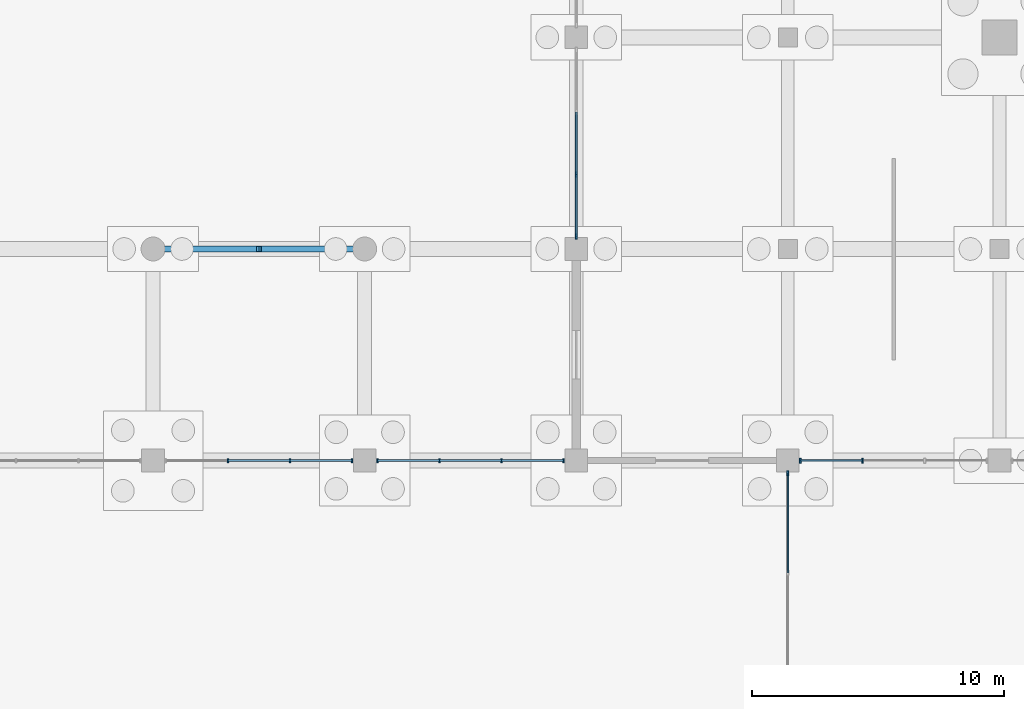
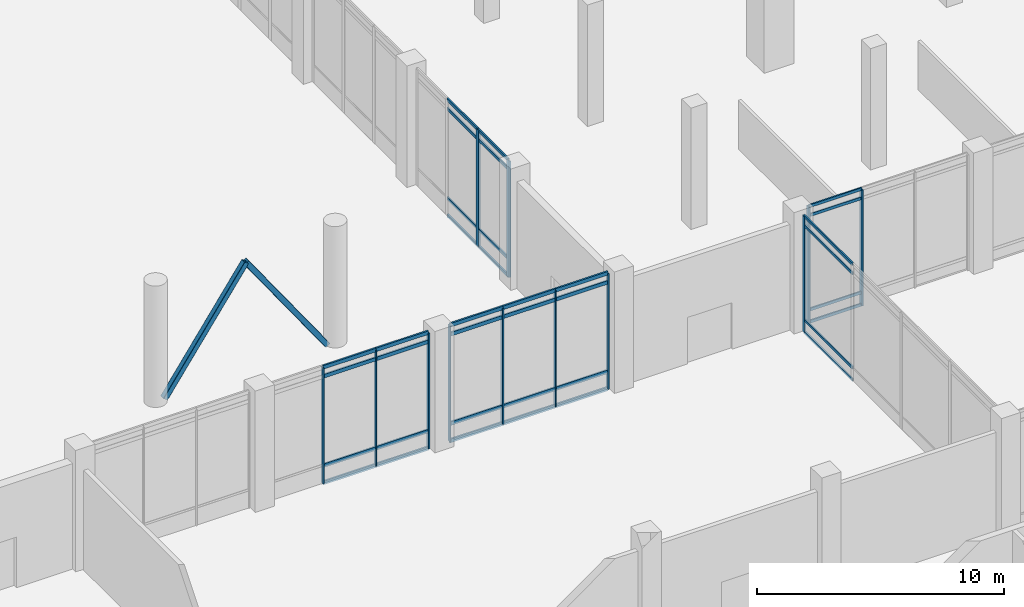
# One storey, part 31 of 72: 50 members, 5 elements without a shape of their own.
"""IFC4 building model written with IfcOpenShell, lengths in metres."""

from ifc_helpers import new_model, si_unit, direction, frame, origin, origin_2d, place, context, subcontext, project, spatial, rectangle, hollow_rectangle, extrude, material, layer, layer_set, material_profile, profile_set, type_object, element, aggregate, save


model = new_model("IFC4")

# Units and contexts
model_context = context("Model", 3, precision=1e-05, world=origin(), true_north=direction((0.0, 1.0)))
body_context = subcontext(model_context, "Body", "Model", "MODEL_VIEW")
ifc_project = project(units=[si_unit("LENGTHUNIT", "METRE"), si_unit("AREAUNIT", "SQUARE_METRE"), si_unit("VOLUMEUNIT", "CUBIC_METRE"), si_unit("PLANEANGLEUNIT", "RADIAN"), si_unit("MASSUNIT", "GRAM", prefix="KILO")], contexts=[model_context])

# Site, building, storey
site_placement = place(None, origin())
site = spatial("IfcSite", under=ifc_project, at=site_placement, CompositionType="ELEMENT")
building_placement = place(site_placement, origin())
building = spatial("IfcBuilding", under=site, at=building_placement, Name="Qawsi Khor Wholesale Market", CompositionType="ELEMENT")
storey_placement = place(building_placement, origin())
storey = spatial("IfcBuildingStorey", under=building, at=storey_placement, Name="L00", CompositionType="ELEMENT", Elevation=0.0)

# Curtain wall, members
ifc_material_1 = material(Name="Aluminium Anodised Bronze", Category="aluminium")
ifc_layer_1 = layer(ifc_material_1, 0.179931640625, Name="Aluminium Anodised Bronze")
ifc_layer_set_1 = layer_set([ifc_layer_1], Name="Aluminium Anodised Bronze")
curtain_wall_type_1 = type_object("IfcCurtainWallType", Name="Atrium Full-Height Curtain Wall CW-02", PredefinedType="NOTDEFINED", material=ifc_layer_set_1)
curtain_wall_1_placement = place(storey_placement, origin())
curtain_wall_1 = element("IfcCurtainWall", 1, at=curtain_wall_1_placement, inside=storey, type_object=curtain_wall_type_1, Name="Curtain wall CW-CW-02-L00-032", PredefinedType="NOTDEFINED")
ifc_material_profile_1 = material_profile(ifc_material_1, rectangle(XDim=0.070068359375, YDim=0.199951171875, at=origin_2d()), Name="ALU MULLION 70x200")
ifc_profile_set_1 = profile_set([ifc_material_profile_1], Name="Aluminium Anodised Bronze")
member_type_1 = type_object("IfcMemberType", Name="Curtain Wall Mullion CW-02 ALU MULLION 70x200", PredefinedType="MULLION", material=ifc_profile_set_1)
member_1_placement = place(storey_placement, frame((151.695068359375, 42.0, -0.02001953125), z_axis=(0.0, 0.0, 1.0), x_axis=(1.0, 0.0, 0.0)))
member_1 = element("IfcMember", 2, at=member_1_placement, type_object=member_type_1, Name="Mullion CW-CW-02-L00-032-M00", PredefinedType="MULLION", context=body_context, shape_type="SweptSolid", body=[
    extrude(rectangle(XDim=0.070068359375, YDim=0.199951171875, at=origin_2d()), origin(), (0.0, 0.0, 1.0), 5.739990234375),
])
member_2_placement = place(storey_placement, frame((154.1650390625, 42.0, -0.02001953125), z_axis=(0.0, 0.0, 1.0), x_axis=(1.0, 0.0, 0.0)))
member_2 = element("IfcMember", 3, at=member_2_placement, type_object=member_type_1, Name="Mullion CW-CW-02-L00-032-M01", PredefinedType="MULLION", context=body_context, shape_type="SweptSolid", body=[
    extrude(rectangle(XDim=0.070068359375, YDim=0.199951171875, at=origin_2d()), origin(), (0.0, 0.0, 1.0), 5.739990234375),
])

# Curtain wall, member
curtain_wall_2_placement = place(storey_placement, origin())
curtain_wall_2 = element("IfcCurtainWall", 4, at=curtain_wall_2_placement, inside=storey, type_object=curtain_wall_type_1, Name="Curtain wall CW-CW-02-L00-034", PredefinedType="NOTDEFINED")
member_3_placement = place(storey_placement, frame((151.199951171875, 41.5048828125, -0.02001953125), z_axis=(0.0, 0.0, 1.0), x_axis=(1.0, 0.0, 0.0)))
member_3 = element("IfcMember", 5, at=member_3_placement, type_object=member_type_1, Name="Mullion CW-CW-02-L00-034-M04", PredefinedType="MULLION", context=body_context, shape_type="SweptSolid", body=[
    extrude(rectangle(XDim=0.070068359375, YDim=0.199951171875, at=origin_2d()), origin(), (0.0, 0.0, 1.0), 5.739990234375),
])

# Curtain wall, members
ifc_layer_2 = layer(ifc_material_1, 0.199951171875, Name="Aluminium Anodised Bronze")
ifc_layer_set_2 = layer_set([ifc_layer_2], Name="Aluminium Anodised Bronze")
curtain_wall_type_2 = type_object("IfcCurtainWallType", Name="Trading Hall North-Light Curtain Wall CW-03", PredefinedType="NOTDEFINED", material=ifc_layer_set_2)
curtain_wall_3_placement = place(storey_placement, origin())
curtain_wall_3 = element("IfcCurtainWall", 6, at=curtain_wall_3_placement, inside=storey, type_object=curtain_wall_type_2, Name="Curtain wall CW-CW-03-L00-075", PredefinedType="NOTDEFINED")
ifc_material_profile_2 = material_profile(ifc_material_1, rectangle(XDim=0.074951171875, YDim=0.219970703125, at=origin_2d()), Name="ALU MULLION 75x220")
ifc_profile_set_2 = profile_set([ifc_material_profile_2], Name="Aluminium Anodised Bronze")
member_type_2 = type_object("IfcMemberType", Name="Curtain Wall Mullion CW-03 ALU MULLION 75x220", PredefinedType="MULLION", material=ifc_profile_set_2)
member_4_placement = place(storey_placement, frame((142.800048828125, 50.8974609375, -0.02001953125), z_axis=(0.0, 0.0, 1.0), x_axis=(1.0, 0.0, 0.0)))
member_4 = element("IfcMember", 7, at=member_4_placement, type_object=member_type_2, Name="Mullion CW-CW-03-L00-075-M00", PredefinedType="MULLION", context=body_context, shape_type="SweptSolid", body=[
    extrude(rectangle(XDim=0.074951171875, YDim=0.219970703125, at=origin_2d()), origin(), (0.0, 0.0, 1.0), 5.75),
])
member_5_placement = place(storey_placement, frame((142.800048828125, 53.36572265625, -0.02001953125), z_axis=(0.0, 0.0, 1.0), x_axis=(1.0, 0.0, 0.0)))
member_5 = element("IfcMember", 8, at=member_5_placement, type_object=member_type_2, Name="Mullion CW-CW-03-L00-075-M01", PredefinedType="MULLION", context=body_context, shape_type="SweptSolid", body=[
    extrude(rectangle(XDim=0.074951171875, YDim=0.219970703125, at=origin_2d()), origin(), (0.0, 0.0, 1.0), 5.75),
])

ifc_layer_3 = layer(ifc_material_1, 0.169921875, Name="Aluminium Anodised Bronze")
ifc_layer_set_3 = layer_set([ifc_layer_3], Name="Aluminium Anodised Bronze")
curtain_wall_type_3 = type_object("IfcCurtainWallType", Name="Central Court Gallery Curtain Wall CW-05", PredefinedType="NOTDEFINED", material=ifc_layer_set_3)
curtain_wall_4_placement = place(storey_placement, origin())
curtain_wall_4 = element("IfcCurtainWall", 9, at=curtain_wall_4_placement, inside=storey, type_object=curtain_wall_type_3, Name="Curtain wall CW-CW-05-L00-058", PredefinedType="NOTDEFINED")
ifc_material_profile_3 = material_profile(ifc_material_1, rectangle(XDim=0.06005859375, YDim=0.159912109375, at=origin_2d()), Name="ALU MULLION 60x160")
ifc_profile_set_3 = profile_set([ifc_material_profile_3], Name="Aluminium Anodised Bronze")
member_type_3 = type_object("IfcMemberType", Name="Curtain Wall Mullion CW-05 ALU MULLION 60x160", PredefinedType="MULLION", material=ifc_profile_set_3)
member_6_placement = place(storey_placement, frame((128.966796875, 42.0, -0.02001953125), z_axis=(0.0, 0.0, 1.0), x_axis=(1.0, 0.0, 0.0)))
member_6 = element("IfcMember", 10, at=member_6_placement, type_object=member_type_3, Name="Mullion CW-CW-05-L00-058-M01", PredefinedType="MULLION", context=body_context, shape_type="SweptSolid", body=[
    extrude(rectangle(XDim=0.06005859375, YDim=0.159912109375, at=origin_2d()), origin(), (0.0, 0.0, 1.0), 5.739990234375),
])
member_7_placement = place(storey_placement, frame((131.433349609375, 42.0, -0.02001953125), z_axis=(0.0, 0.0, 1.0), x_axis=(1.0, 0.0, 0.0)))
member_7 = element("IfcMember", 11, at=member_7_placement, type_object=member_type_3, Name="Mullion CW-CW-05-L00-058-M02", PredefinedType="MULLION", context=body_context, shape_type="SweptSolid", body=[
    extrude(rectangle(XDim=0.06005859375, YDim=0.159912109375, at=origin_2d()), origin(), (0.0, 0.0, 1.0), 5.739990234375),
])
member_8_placement = place(storey_placement, frame((133.89990234375, 42.0, -0.02001953125), z_axis=(0.0, 0.0, 1.0), x_axis=(1.0, 0.0, 0.0)))
member_8 = element("IfcMember", 12, at=member_8_placement, type_object=member_type_3, Name="Mullion CW-CW-05-L00-058-M03", PredefinedType="MULLION", context=body_context, shape_type="SweptSolid", body=[
    extrude(rectangle(XDim=0.06005859375, YDim=0.159912109375, at=origin_2d()), origin(), (0.0, 0.0, 1.0), 5.739990234375),
])

curtain_wall_5_placement = place(storey_placement, origin())
curtain_wall_5 = element("IfcCurtainWall", 13, at=curtain_wall_5_placement, inside=storey, type_object=curtain_wall_type_3, Name="Curtain wall CW-CW-05-L00-059", PredefinedType="NOTDEFINED")
member_9_placement = place(storey_placement, frame((134.89990234375, 42.0, -0.02001953125), z_axis=(0.0, 0.0, 1.0), x_axis=(1.0, 0.0, 0.0)))
member_9 = element("IfcMember", 14, at=member_9_placement, type_object=member_type_3, Name="Mullion CW-CW-05-L00-059-M00", PredefinedType="MULLION", context=body_context, shape_type="SweptSolid", body=[
    extrude(rectangle(XDim=0.06005859375, YDim=0.159912109375, at=origin_2d()), origin(), (0.0, 0.0, 1.0), 5.739990234375),
])
member_10_placement = place(storey_placement, frame((137.36669921875, 42.0, -0.02001953125), z_axis=(0.0, 0.0, 1.0), x_axis=(1.0, 0.0, 0.0)))
member_10 = element("IfcMember", 15, at=member_10_placement, type_object=member_type_3, Name="Mullion CW-CW-05-L00-059-M01", PredefinedType="MULLION", context=body_context, shape_type="SweptSolid", body=[
    extrude(rectangle(XDim=0.06005859375, YDim=0.159912109375, at=origin_2d()), origin(), (0.0, 0.0, 1.0), 5.739990234375),
])
member_11_placement = place(storey_placement, frame((139.833251953125, 42.0, -0.02001953125), z_axis=(0.0, 0.0, 1.0), x_axis=(1.0, 0.0, 0.0)))
member_11 = element("IfcMember", 16, at=member_11_placement, type_object=member_type_3, Name="Mullion CW-CW-05-L00-059-M02", PredefinedType="MULLION", context=body_context, shape_type="SweptSolid", body=[
    extrude(rectangle(XDim=0.06005859375, YDim=0.159912109375, at=origin_2d()), origin(), (0.0, 0.0, 1.0), 5.739990234375),
])
member_12_placement = place(storey_placement, frame((142.300048828125, 42.0, -0.02001953125), z_axis=(0.0, 0.0, 1.0), x_axis=(1.0, 0.0, 0.0)))
member_12 = element("IfcMember", 17, at=member_12_placement, type_object=member_type_3, Name="Mullion CW-CW-05-L00-059-M03", PredefinedType="MULLION", context=body_context, shape_type="SweptSolid", body=[
    extrude(rectangle(XDim=0.06005859375, YDim=0.159912109375, at=origin_2d()), origin(), (0.0, 0.0, 1.0), 5.739990234375),
])

# Member
ifc_material_profile_4 = material_profile(ifc_material_1, rectangle(XDim=0.06494140625, YDim=0.139892578125, at=origin_2d()), Name="ALU TRANSOM 65x140")
ifc_profile_set_4 = profile_set([ifc_material_profile_4], Name="Aluminium Anodised Bronze")
member_type_4 = type_object("IfcMemberType", Name="Curtain Wall Transom CW-02 ALU TRANSOM 65x140", PredefinedType="USERDEFINED", material=ifc_profile_set_4)
member_13_placement = place(storey_placement, frame((151.695068359375, 42.0, 0.0), z_axis=(1.0, 0.0, 0.0), x_axis=(0.0, 1.0, 0.0)))
member_13 = element("IfcMember", 18, at=member_13_placement, type_object=member_type_4, Name="Transom CW-CW-02-L00-032-T0_00", ObjectType="TRANSOM", PredefinedType="USERDEFINED", context=body_context, shape_type="SweptSolid", body=[
    extrude(rectangle(XDim=0.06494140625, YDim=0.139892578125, at=origin_2d()), origin(), (0.0, 0.0, 1.0), 2.469970703125),
])

member_14_placement = place(storey_placement, frame((151.695068359375, 42.0, 0.60009765625), z_axis=(1.0, 0.0, 0.0), x_axis=(0.0, 1.0, 0.0)))
member_14 = element("IfcMember", 19, at=member_14_placement, type_object=member_type_4, Name="Transom CW-CW-02-L00-032-T1_00", ObjectType="TRANSOM", PredefinedType="USERDEFINED", context=body_context, shape_type="SweptSolid", body=[
    extrude(rectangle(XDim=0.06494140625, YDim=0.139892578125, at=origin_2d()), origin(), (0.0, 0.0, 1.0), 2.469970703125),
])

member_15_placement = place(storey_placement, frame((151.695068359375, 42.0, 5.27001953125), z_axis=(1.0, 0.0, 0.0), x_axis=(0.0, 1.0, 0.0)))
member_15 = element("IfcMember", 20, at=member_15_placement, type_object=member_type_4, Name="Transom CW-CW-02-L00-032-T2_00", ObjectType="TRANSOM", PredefinedType="USERDEFINED", context=body_context, shape_type="SweptSolid", body=[
    extrude(rectangle(XDim=0.06494140625, YDim=0.139892578125, at=origin_2d()), origin(), (0.0, 0.0, 1.0), 2.469970703125),
])

member_16_placement = place(storey_placement, frame((151.695068359375, 42.0, 5.719970703125), z_axis=(1.0, 0.0, 0.0), x_axis=(0.0, 1.0, 0.0)))
member_16 = element("IfcMember", 21, at=member_16_placement, type_object=member_type_4, Name="Transom CW-CW-02-L00-032-T3_00", ObjectType="TRANSOM", PredefinedType="USERDEFINED", context=body_context, shape_type="SweptSolid", body=[
    extrude(rectangle(XDim=0.06494140625, YDim=0.139892578125, at=origin_2d()), origin(), (0.0, 0.0, 1.0), 2.469970703125),
])

aggregate(curtain_wall_1, [member_1, member_2, member_13, member_14, member_15, member_16])

member_17_placement = place(storey_placement, frame((151.199951171875, 37.552490234375, 0.0), z_axis=(0.0, 1.0, 0.0), x_axis=(-1.0, 0.0, 0.0)))
member_17 = element("IfcMember", 22, at=member_17_placement, type_object=member_type_4, Name="Transom CW-CW-02-L00-034-T0_03", ObjectType="TRANSOM", PredefinedType="USERDEFINED", context=body_context, shape_type="SweptSolid", body=[
    extrude(rectangle(XDim=0.06494140625, YDim=0.139892578125, at=origin_2d()), origin(), (0.0, 0.0, 1.0), 3.952392578125),
])

member_18_placement = place(storey_placement, frame((151.199951171875, 37.552490234375, 0.60009765625), z_axis=(0.0, 1.0, 0.0), x_axis=(-1.0, 0.0, 0.0)))
member_18 = element("IfcMember", 23, at=member_18_placement, type_object=member_type_4, Name="Transom CW-CW-02-L00-034-T1_03", ObjectType="TRANSOM", PredefinedType="USERDEFINED", context=body_context, shape_type="SweptSolid", body=[
    extrude(rectangle(XDim=0.06494140625, YDim=0.139892578125, at=origin_2d()), origin(), (0.0, 0.0, 1.0), 3.952392578125),
])

member_19_placement = place(storey_placement, frame((151.199951171875, 37.552490234375, 5.27001953125), z_axis=(0.0, 1.0, 0.0), x_axis=(-1.0, 0.0, 0.0)))
member_19 = element("IfcMember", 24, at=member_19_placement, type_object=member_type_4, Name="Transom CW-CW-02-L00-034-T2_03", ObjectType="TRANSOM", PredefinedType="USERDEFINED", context=body_context, shape_type="SweptSolid", body=[
    extrude(rectangle(XDim=0.06494140625, YDim=0.139892578125, at=origin_2d()), origin(), (0.0, 0.0, 1.0), 3.952392578125),
])

member_20_placement = place(storey_placement, frame((151.199951171875, 37.552490234375, 5.719970703125), z_axis=(0.0, 1.0, 0.0), x_axis=(-1.0, 0.0, 0.0)))
member_20 = element("IfcMember", 25, at=member_20_placement, type_object=member_type_4, Name="Transom CW-CW-02-L00-034-T3_03", ObjectType="TRANSOM", PredefinedType="USERDEFINED", context=body_context, shape_type="SweptSolid", body=[
    extrude(rectangle(XDim=0.06494140625, YDim=0.139892578125, at=origin_2d()), origin(), (0.0, 0.0, 1.0), 3.952392578125),
])

aggregate(curtain_wall_2, [member_3, member_17, member_18, member_19, member_20])

ifc_material_profile_5 = material_profile(ifc_material_1, rectangle(XDim=0.070068359375, YDim=0.14990234375, at=origin_2d()), Name="ALU TRANSOM 70x150")
ifc_profile_set_5 = profile_set([ifc_material_profile_5], Name="Aluminium Anodised Bronze")
member_type_5 = type_object("IfcMemberType", Name="Curtain Wall Transom CW-03 ALU TRANSOM 70x150", PredefinedType="USERDEFINED", material=ifc_profile_set_5)
member_21_placement = place(storey_placement, frame((142.800048828125, 50.8974609375, 0.0), z_axis=(0.0, 1.0, 0.0), x_axis=(-1.0, 0.0, 0.0)))
member_21 = element("IfcMember", 26, at=member_21_placement, type_object=member_type_5, Name="Transom CW-CW-03-L00-075-T0_00", ObjectType="TRANSOM", PredefinedType="USERDEFINED", context=body_context, shape_type="SweptSolid", body=[
    extrude(rectangle(XDim=0.070068359375, YDim=0.14990234375, at=origin_2d()), origin(), (0.0, 0.0, 1.0), 2.46826171875),
])

member_22_placement = place(storey_placement, frame((142.800048828125, 53.36572265625, 0.0), z_axis=(0.0, 1.0, 0.0), x_axis=(-1.0, 0.0, 0.0)))
member_22 = element("IfcMember", 27, at=member_22_placement, type_object=member_type_5, Name="Transom CW-CW-03-L00-075-T0_01", ObjectType="TRANSOM", PredefinedType="USERDEFINED", context=body_context, shape_type="SweptSolid", body=[
    extrude(rectangle(XDim=0.070068359375, YDim=0.14990234375, at=origin_2d()), origin(), (0.0, 0.0, 1.0), 2.468505859375),
])

member_23_placement = place(storey_placement, frame((142.800048828125, 50.8974609375, 0.85009765625), z_axis=(0.0, 1.0, 0.0), x_axis=(-1.0, 0.0, 0.0)))
member_23 = element("IfcMember", 28, at=member_23_placement, type_object=member_type_5, Name="Transom CW-CW-03-L00-075-T1_00", ObjectType="TRANSOM", PredefinedType="USERDEFINED", context=body_context, shape_type="SweptSolid", body=[
    extrude(rectangle(XDim=0.070068359375, YDim=0.14990234375, at=origin_2d()), origin(), (0.0, 0.0, 1.0), 2.46826171875),
])

member_24_placement = place(storey_placement, frame((142.800048828125, 53.36572265625, 0.85009765625), z_axis=(0.0, 1.0, 0.0), x_axis=(-1.0, 0.0, 0.0)))
member_24 = element("IfcMember", 29, at=member_24_placement, type_object=member_type_5, Name="Transom CW-CW-03-L00-075-T1_01", ObjectType="TRANSOM", PredefinedType="USERDEFINED", context=body_context, shape_type="SweptSolid", body=[
    extrude(rectangle(XDim=0.070068359375, YDim=0.14990234375, at=origin_2d()), origin(), (0.0, 0.0, 1.0), 2.468505859375),
])

member_25_placement = place(storey_placement, frame((142.800048828125, 50.8974609375, 5.280029296875), z_axis=(0.0, 1.0, 0.0), x_axis=(-1.0, 0.0, 0.0)))
member_25 = element("IfcMember", 30, at=member_25_placement, type_object=member_type_5, Name="Transom CW-CW-03-L00-075-T2_00", ObjectType="TRANSOM", PredefinedType="USERDEFINED", context=body_context, shape_type="SweptSolid", body=[
    extrude(rectangle(XDim=0.070068359375, YDim=0.14990234375, at=origin_2d()), origin(), (0.0, 0.0, 1.0), 2.46826171875),
])

member_26_placement = place(storey_placement, frame((142.800048828125, 53.36572265625, 5.280029296875), z_axis=(0.0, 1.0, 0.0), x_axis=(-1.0, 0.0, 0.0)))
member_26 = element("IfcMember", 31, at=member_26_placement, type_object=member_type_5, Name="Transom CW-CW-03-L00-075-T2_01", ObjectType="TRANSOM", PredefinedType="USERDEFINED", context=body_context, shape_type="SweptSolid", body=[
    extrude(rectangle(XDim=0.070068359375, YDim=0.14990234375, at=origin_2d()), origin(), (0.0, 0.0, 1.0), 2.468505859375),
])

member_27_placement = place(storey_placement, frame((142.800048828125, 50.8974609375, 5.72998046875), z_axis=(0.0, 1.0, 0.0), x_axis=(-1.0, 0.0, 0.0)))
member_27 = element("IfcMember", 32, at=member_27_placement, type_object=member_type_5, Name="Transom CW-CW-03-L00-075-T3_00", ObjectType="TRANSOM", PredefinedType="USERDEFINED", context=body_context, shape_type="SweptSolid", body=[
    extrude(rectangle(XDim=0.070068359375, YDim=0.14990234375, at=origin_2d()), origin(), (0.0, 0.0, 1.0), 2.46826171875),
])

member_28_placement = place(storey_placement, frame((142.800048828125, 53.36572265625, 5.72998046875), z_axis=(0.0, 1.0, 0.0), x_axis=(-1.0, 0.0, 0.0)))
member_28 = element("IfcMember", 33, at=member_28_placement, type_object=member_type_5, Name="Transom CW-CW-03-L00-075-T3_01", ObjectType="TRANSOM", PredefinedType="USERDEFINED", context=body_context, shape_type="SweptSolid", body=[
    extrude(rectangle(XDim=0.070068359375, YDim=0.14990234375, at=origin_2d()), origin(), (0.0, 0.0, 1.0), 2.468505859375),
])

aggregate(curtain_wall_3, [member_4, member_5, member_21, member_22, member_23, member_24, member_25, member_26, member_27, member_28])

ifc_material_profile_6 = material_profile(ifc_material_1, rectangle(XDim=0.080078125, YDim=0.179931640625, at=origin_2d()), Name="ALU TRANSOM 80x180")
ifc_profile_set_6 = profile_set([ifc_material_profile_6], Name="Aluminium Anodised Bronze")
member_type_6 = type_object("IfcMemberType", Name="Curtain Wall Transom CW-05 ALU TRANSOM 80x180", PredefinedType="USERDEFINED", material=ifc_profile_set_6)
member_29_placement = place(storey_placement, frame((128.966796875, 42.0, 0.0), z_axis=(1.0, 0.0, 0.0), x_axis=(0.0, 1.0, 0.0)))
member_29 = element("IfcMember", 34, at=member_29_placement, type_object=member_type_6, Name="Transom CW-CW-05-L00-058-T0_01", ObjectType="TRANSOM", PredefinedType="USERDEFINED", context=body_context, shape_type="SweptSolid", body=[
    extrude(rectangle(XDim=0.080078125, YDim=0.179931640625, at=origin_2d()), origin(), (0.0, 0.0, 1.0), 2.466552734375),
])

member_30_placement = place(storey_placement, frame((131.433349609375, 42.0, 0.0), z_axis=(1.0, 0.0, 0.0), x_axis=(0.0, 1.0, 0.0)))
member_30 = element("IfcMember", 35, at=member_30_placement, type_object=member_type_6, Name="Transom CW-CW-05-L00-058-T0_02", ObjectType="TRANSOM", PredefinedType="USERDEFINED", context=body_context, shape_type="SweptSolid", body=[
    extrude(rectangle(XDim=0.080078125, YDim=0.179931640625, at=origin_2d()), origin(), (0.0, 0.0, 1.0), 2.466552734375),
])

member_31_placement = place(storey_placement, frame((128.966796875, 42.0, 0.85009765625), z_axis=(1.0, 0.0, 0.0), x_axis=(0.0, 1.0, 0.0)))
member_31 = element("IfcMember", 36, at=member_31_placement, type_object=member_type_6, Name="Transom CW-CW-05-L00-058-T1_01", ObjectType="TRANSOM", PredefinedType="USERDEFINED", context=body_context, shape_type="SweptSolid", body=[
    extrude(rectangle(XDim=0.080078125, YDim=0.179931640625, at=origin_2d()), origin(), (0.0, 0.0, 1.0), 2.466552734375),
])

member_32_placement = place(storey_placement, frame((131.433349609375, 42.0, 0.85009765625), z_axis=(1.0, 0.0, 0.0), x_axis=(0.0, 1.0, 0.0)))
member_32 = element("IfcMember", 37, at=member_32_placement, type_object=member_type_6, Name="Transom CW-CW-05-L00-058-T1_02", ObjectType="TRANSOM", PredefinedType="USERDEFINED", context=body_context, shape_type="SweptSolid", body=[
    extrude(rectangle(XDim=0.080078125, YDim=0.179931640625, at=origin_2d()), origin(), (0.0, 0.0, 1.0), 2.466552734375),
])

member_33_placement = place(storey_placement, frame((128.966796875, 42.0, 5.27001953125), z_axis=(1.0, 0.0, 0.0), x_axis=(0.0, 1.0, 0.0)))
member_33 = element("IfcMember", 38, at=member_33_placement, type_object=member_type_6, Name="Transom CW-CW-05-L00-058-T2_01", ObjectType="TRANSOM", PredefinedType="USERDEFINED", context=body_context, shape_type="SweptSolid", body=[
    extrude(rectangle(XDim=0.080078125, YDim=0.179931640625, at=origin_2d()), origin(), (0.0, 0.0, 1.0), 2.466552734375),
])

member_34_placement = place(storey_placement, frame((131.433349609375, 42.0, 5.27001953125), z_axis=(1.0, 0.0, 0.0), x_axis=(0.0, 1.0, 0.0)))
member_34 = element("IfcMember", 39, at=member_34_placement, type_object=member_type_6, Name="Transom CW-CW-05-L00-058-T2_02", ObjectType="TRANSOM", PredefinedType="USERDEFINED", context=body_context, shape_type="SweptSolid", body=[
    extrude(rectangle(XDim=0.080078125, YDim=0.179931640625, at=origin_2d()), origin(), (0.0, 0.0, 1.0), 2.466552734375),
])

member_35_placement = place(storey_placement, frame((128.966796875, 42.0, 5.719970703125), z_axis=(1.0, 0.0, 0.0), x_axis=(0.0, 1.0, 0.0)))
member_35 = element("IfcMember", 40, at=member_35_placement, type_object=member_type_6, Name="Transom CW-CW-05-L00-058-T3_01", ObjectType="TRANSOM", PredefinedType="USERDEFINED", context=body_context, shape_type="SweptSolid", body=[
    extrude(rectangle(XDim=0.080078125, YDim=0.179931640625, at=origin_2d()), origin(), (0.0, 0.0, 1.0), 2.466552734375),
])

member_36_placement = place(storey_placement, frame((131.433349609375, 42.0, 5.719970703125), z_axis=(1.0, 0.0, 0.0), x_axis=(0.0, 1.0, 0.0)))
member_36 = element("IfcMember", 41, at=member_36_placement, type_object=member_type_6, Name="Transom CW-CW-05-L00-058-T3_02", ObjectType="TRANSOM", PredefinedType="USERDEFINED", context=body_context, shape_type="SweptSolid", body=[
    extrude(rectangle(XDim=0.080078125, YDim=0.179931640625, at=origin_2d()), origin(), (0.0, 0.0, 1.0), 2.466552734375),
])

aggregate(curtain_wall_4, [member_6, member_7, member_8, member_29, member_30, member_31, member_32, member_33, member_34, member_35, member_36])

member_37_placement = place(storey_placement, frame((134.89990234375, 42.0, 0.0), z_axis=(1.0, 0.0, 0.0), x_axis=(0.0, 1.0, 0.0)))
member_37 = element("IfcMember", 42, at=member_37_placement, type_object=member_type_6, Name="Transom CW-CW-05-L00-059-T0_00", ObjectType="TRANSOM", PredefinedType="USERDEFINED", context=body_context, shape_type="SweptSolid", body=[
    extrude(rectangle(XDim=0.080078125, YDim=0.179931640625, at=origin_2d()), origin(), (0.0, 0.0, 1.0), 2.466796875),
])

member_38_placement = place(storey_placement, frame((137.36669921875, 42.0, 0.0), z_axis=(1.0, 0.0, 0.0), x_axis=(0.0, 1.0, 0.0)))
member_38 = element("IfcMember", 43, at=member_38_placement, type_object=member_type_6, Name="Transom CW-CW-05-L00-059-T0_01", ObjectType="TRANSOM", PredefinedType="USERDEFINED", context=body_context, shape_type="SweptSolid", body=[
    extrude(rectangle(XDim=0.080078125, YDim=0.179931640625, at=origin_2d()), origin(), (0.0, 0.0, 1.0), 2.466552734375),
])

member_39_placement = place(storey_placement, frame((139.833251953125, 42.0, 0.0), z_axis=(1.0, 0.0, 0.0), x_axis=(0.0, 1.0, 0.0)))
member_39 = element("IfcMember", 44, at=member_39_placement, type_object=member_type_6, Name="Transom CW-CW-05-L00-059-T0_02", ObjectType="TRANSOM", PredefinedType="USERDEFINED", context=body_context, shape_type="SweptSolid", body=[
    extrude(rectangle(XDim=0.080078125, YDim=0.179931640625, at=origin_2d()), origin(), (0.0, 0.0, 1.0), 2.466796875),
])

member_40_placement = place(storey_placement, frame((134.89990234375, 42.0, 0.85009765625), z_axis=(1.0, 0.0, 0.0), x_axis=(0.0, 1.0, 0.0)))
member_40 = element("IfcMember", 45, at=member_40_placement, type_object=member_type_6, Name="Transom CW-CW-05-L00-059-T1_00", ObjectType="TRANSOM", PredefinedType="USERDEFINED", context=body_context, shape_type="SweptSolid", body=[
    extrude(rectangle(XDim=0.080078125, YDim=0.179931640625, at=origin_2d()), origin(), (0.0, 0.0, 1.0), 2.466796875),
])

member_41_placement = place(storey_placement, frame((137.36669921875, 42.0, 0.85009765625), z_axis=(1.0, 0.0, 0.0), x_axis=(0.0, 1.0, 0.0)))
member_41 = element("IfcMember", 46, at=member_41_placement, type_object=member_type_6, Name="Transom CW-CW-05-L00-059-T1_01", ObjectType="TRANSOM", PredefinedType="USERDEFINED", context=body_context, shape_type="SweptSolid", body=[
    extrude(rectangle(XDim=0.080078125, YDim=0.179931640625, at=origin_2d()), origin(), (0.0, 0.0, 1.0), 2.466552734375),
])

member_42_placement = place(storey_placement, frame((139.833251953125, 42.0, 0.85009765625), z_axis=(1.0, 0.0, 0.0), x_axis=(0.0, 1.0, 0.0)))
member_42 = element("IfcMember", 47, at=member_42_placement, type_object=member_type_6, Name="Transom CW-CW-05-L00-059-T1_02", ObjectType="TRANSOM", PredefinedType="USERDEFINED", context=body_context, shape_type="SweptSolid", body=[
    extrude(rectangle(XDim=0.080078125, YDim=0.179931640625, at=origin_2d()), origin(), (0.0, 0.0, 1.0), 2.466796875),
])

member_43_placement = place(storey_placement, frame((134.89990234375, 42.0, 5.27001953125), z_axis=(1.0, 0.0, 0.0), x_axis=(0.0, 1.0, 0.0)))
member_43 = element("IfcMember", 48, at=member_43_placement, type_object=member_type_6, Name="Transom CW-CW-05-L00-059-T2_00", ObjectType="TRANSOM", PredefinedType="USERDEFINED", context=body_context, shape_type="SweptSolid", body=[
    extrude(rectangle(XDim=0.080078125, YDim=0.179931640625, at=origin_2d()), origin(), (0.0, 0.0, 1.0), 2.466796875),
])

member_44_placement = place(storey_placement, frame((137.36669921875, 42.0, 5.27001953125), z_axis=(1.0, 0.0, 0.0), x_axis=(0.0, 1.0, 0.0)))
member_44 = element("IfcMember", 49, at=member_44_placement, type_object=member_type_6, Name="Transom CW-CW-05-L00-059-T2_01", ObjectType="TRANSOM", PredefinedType="USERDEFINED", context=body_context, shape_type="SweptSolid", body=[
    extrude(rectangle(XDim=0.080078125, YDim=0.179931640625, at=origin_2d()), origin(), (0.0, 0.0, 1.0), 2.466552734375),
])

member_45_placement = place(storey_placement, frame((139.833251953125, 42.0, 5.27001953125), z_axis=(1.0, 0.0, 0.0), x_axis=(0.0, 1.0, 0.0)))
member_45 = element("IfcMember", 50, at=member_45_placement, type_object=member_type_6, Name="Transom CW-CW-05-L00-059-T2_02", ObjectType="TRANSOM", PredefinedType="USERDEFINED", context=body_context, shape_type="SweptSolid", body=[
    extrude(rectangle(XDim=0.080078125, YDim=0.179931640625, at=origin_2d()), origin(), (0.0, 0.0, 1.0), 2.466796875),
])

member_46_placement = place(storey_placement, frame((134.89990234375, 42.0, 5.719970703125), z_axis=(1.0, 0.0, 0.0), x_axis=(0.0, 1.0, 0.0)))
member_46 = element("IfcMember", 51, at=member_46_placement, type_object=member_type_6, Name="Transom CW-CW-05-L00-059-T3_00", ObjectType="TRANSOM", PredefinedType="USERDEFINED", context=body_context, shape_type="SweptSolid", body=[
    extrude(rectangle(XDim=0.080078125, YDim=0.179931640625, at=origin_2d()), origin(), (0.0, 0.0, 1.0), 2.466796875),
])

member_47_placement = place(storey_placement, frame((137.36669921875, 42.0, 5.719970703125), z_axis=(1.0, 0.0, 0.0), x_axis=(0.0, 1.0, 0.0)))
member_47 = element("IfcMember", 52, at=member_47_placement, type_object=member_type_6, Name="Transom CW-CW-05-L00-059-T3_01", ObjectType="TRANSOM", PredefinedType="USERDEFINED", context=body_context, shape_type="SweptSolid", body=[
    extrude(rectangle(XDim=0.080078125, YDim=0.179931640625, at=origin_2d()), origin(), (0.0, 0.0, 1.0), 2.466552734375),
])

member_48_placement = place(storey_placement, frame((139.833251953125, 42.0, 5.719970703125), z_axis=(1.0, 0.0, 0.0), x_axis=(0.0, 1.0, 0.0)))
member_48 = element("IfcMember", 53, at=member_48_placement, type_object=member_type_6, Name="Transom CW-CW-05-L00-059-T3_02", ObjectType="TRANSOM", PredefinedType="USERDEFINED", context=body_context, shape_type="SweptSolid", body=[
    extrude(rectangle(XDim=0.080078125, YDim=0.179931640625, at=origin_2d()), origin(), (0.0, 0.0, 1.0), 2.466796875),
])

aggregate(curtain_wall_5, [member_9, member_10, member_11, member_12, member_37, member_38, member_39, member_40, member_41, member_42, member_43, member_44, member_45, member_46, member_47, member_48])

# Members
ifc_material_2 = material(Name="Steel S355", Category="steel")
ifc_material_profile_7 = material_profile(ifc_material_2, hollow_rectangle(XDim=0.25, YDim=0.25, WallThickness=0.012451171875, InnerFilletRadius=0.012451171875, OuterFilletRadius=0.02490234375, at=origin_2d()), Name="SHS 250x250x12.5")
ifc_profile_set_7 = profile_set([ifc_material_profile_7], Name="Steel S355")
member_type_7 = type_object("IfcMemberType", Name="Lateral Portal Brace SHS 250x250x12.5", PredefinedType="BRACE", material=ifc_profile_set_7)
for number, where, z_axis, x_axis, name in (
    (54, (126.39990234375, 50.39990234375, 0.0), (0.574081019933, 0.0, 0.818798499359), (0.0, 1.0, 0.0), "Portal K-brace 4A"),
    (55, (134.0, 50.39990234375, 0.0), (-0.574081019933, 0.0, 0.818798499359), (0.0, -1.0, 0.0), "Portal K-brace 4B"),
):
    element("IfcMember", number, at=place(storey_placement, frame(where, z_axis=z_axis, x_axis=x_axis)), inside=storey, type_object=member_type_7, Name=name, PredefinedType="BRACE", context=body_context, shape_type="SweptSolid", body=[
        extrude(hollow_rectangle(XDim=0.25, YDim=0.25, WallThickness=0.012451171875, InnerFilletRadius=0.012451171875, OuterFilletRadius=0.02490234375, at=origin_2d()), origin(), (0.0, 0.0, 1.0), 6.619384765625),
    ])

save(model, "model.ifc")
